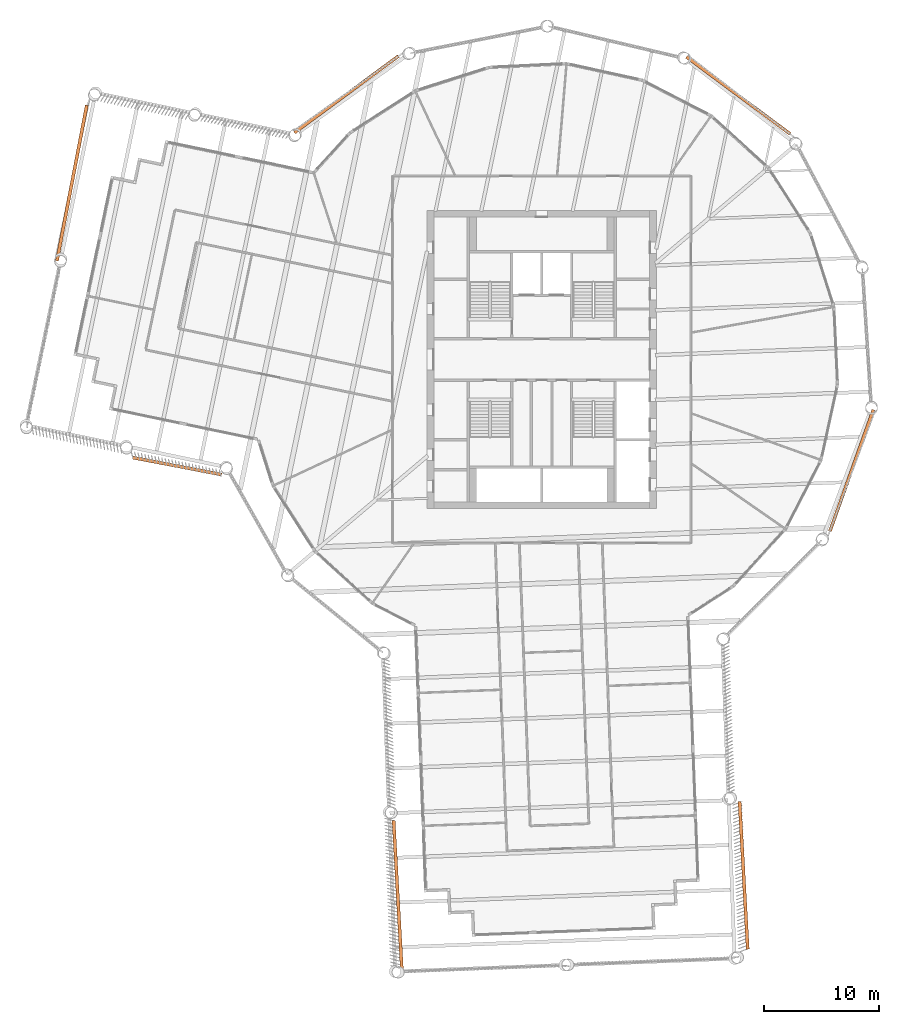
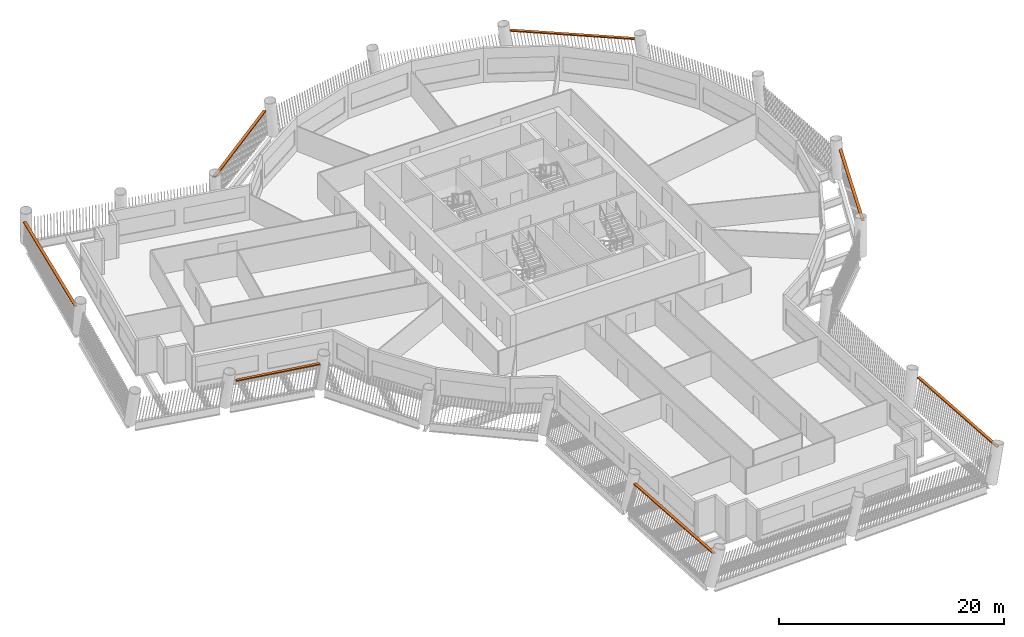
# One storey, part 14 of 14: 7 proxies.
"""IFC4 building model written with IfcOpenShell, lengths in metres."""

from ifc_helpers import new_model, si_unit, direction, frame, origin, origin_2d, place, context, subcontext, project, spatial, rectangle, extrude, material, type_object, element, save


model = new_model("IFC4")

# Units and contexts
model_context = context("Model", 3, precision=1e-05, world=origin(), true_north=direction((0.0, 1.0)))
body_context = subcontext(model_context, "Body", "Model", "MODEL_VIEW")
ifc_project = project(units=[si_unit("LENGTHUNIT", "METRE"), si_unit("AREAUNIT", "SQUARE_METRE"), si_unit("VOLUMEUNIT", "CUBIC_METRE"), si_unit("PLANEANGLEUNIT", "RADIAN"), si_unit("MASSUNIT", "GRAM", prefix="KILO")], contexts=[model_context])

# Site, building, storey
site_placement = place(None, origin())
site = spatial("IfcSite", under=ifc_project, at=site_placement, CompositionType="ELEMENT")
building_placement = place(site_placement, origin())
building = spatial("IfcBuilding", under=site, at=building_placement, Name="Tarsis Ring Headquarters", CompositionType="ELEMENT")
storey_placement = place(building_placement, frame((0.0, 0.0, 235.5)))
storey = spatial("IfcBuildingStorey", under=building, at=storey_placement, Name="L55", CompositionType="ELEMENT", Elevation=235.5)

# Proxies
ifc_material = material(Name="Structural steel S355", Category="steel")
building_element_proxy_type = type_object("IfcBuildingElementProxyType", Name="Screen bracket plate", PredefinedType="USERDEFINED", material=ifc_material)
for number, where, z_axis, x_axis, name in (
    (1, (-12.544677734375, -46.611328125, 2.949951171875), (0.0, 0.0, 1.0), (0.055124430871, -0.998479492589, 0.0), "Screen bracket L55-02"),
    (2, (17.599365234375, -44.947021484375, 2.949951171875), (0.0, 0.0, 1.0), (-0.055124430871, 0.998479492589, 0.0), "Screen bracket L55-05"),
):
    element("IfcBuildingElementProxy", number, at=place(storey_placement, frame(where, z_axis=z_axis, x_axis=x_axis)), inside=storey, type_object=building_element_proxy_type, Name=name, ObjectType="Bracket", PredefinedType="USERDEFINED", context=body_context, shape_type="SweptSolid", body=[
        extrude(rectangle(XDim=12.90234375, YDim=0.280029296875, at=origin_2d()), origin(), (0.0, 0.0, 1.0), 0.1201171875),
    ])
for number, where, z_axis, x_axis, name in (
    (3, (27.011962890625, -9.669677734375, 2.949951171875), (0.0, 0.0, 1.0), (0.337033211362, 0.94149275857, 0.0), "Screen bracket L55-08"),
    (4, (17.133544921875, 23.0126953125, 2.949951171875), (0.0, 0.0, 1.0), (-0.802101468503, 0.59718777133, 0.0), "Screen bracket L55-11"),
    (5, (-17.0087890625, 23.10498046875, 2.949951171875), (0.0, 0.0, 1.0), (-0.805321119712, -0.592838843318, 0.0), "Screen bracket L55-14"),
):
    element("IfcBuildingElementProxy", number, at=place(storey_placement, frame(where, z_axis=z_axis, x_axis=x_axis)), inside=storey, type_object=building_element_proxy_type, Name=name, ObjectType="Bracket", PredefinedType="USERDEFINED", context=body_context, shape_type="SweptSolid", body=[
        extrude(rectangle(XDim=11.248779296875, YDim=0.280029296875, at=origin_2d()), origin(), (0.0, 0.0, 1.0), 0.1201171875),
    ])
proxy_1_placement = place(storey_placement, frame((-40.934326171875, 15.372802734375, 2.949951171875), z_axis=(0.0, 0.0, 1.0), x_axis=(-0.188067017593, -0.982156197808, 0.0)))
element("IfcBuildingElementProxy", 6, at=proxy_1_placement, inside=storey, type_object=building_element_proxy_type, Name="Screen bracket L55-17", ObjectType="Bracket", PredefinedType="USERDEFINED", context=body_context, shape_type="SweptSolid", body=[
    extrude(rectangle(XDim=13.800048828125, YDim=0.280029296875, at=origin_2d()), origin(), (0.0, 0.0, 1.0), 0.1201171875),
])
proxy_2_placement = place(storey_placement, frame((-31.760009765625, -9.28759765625, 2.949951171875), z_axis=(0.0, 0.0, 1.0), x_axis=(0.982156187961, -0.188067069019, 0.0)))
element("IfcBuildingElementProxy", 7, at=proxy_2_placement, inside=storey, type_object=building_element_proxy_type, Name="Screen bracket L55-20", ObjectType="Bracket", PredefinedType="USERDEFINED", context=body_context, shape_type="SweptSolid", body=[
    extrude(rectangle(XDim=7.90234375, YDim=0.280029296875, at=origin_2d()), origin(), (0.0, 0.0, 1.0), 0.1201171875),
])

save(model, "model.ifc")
